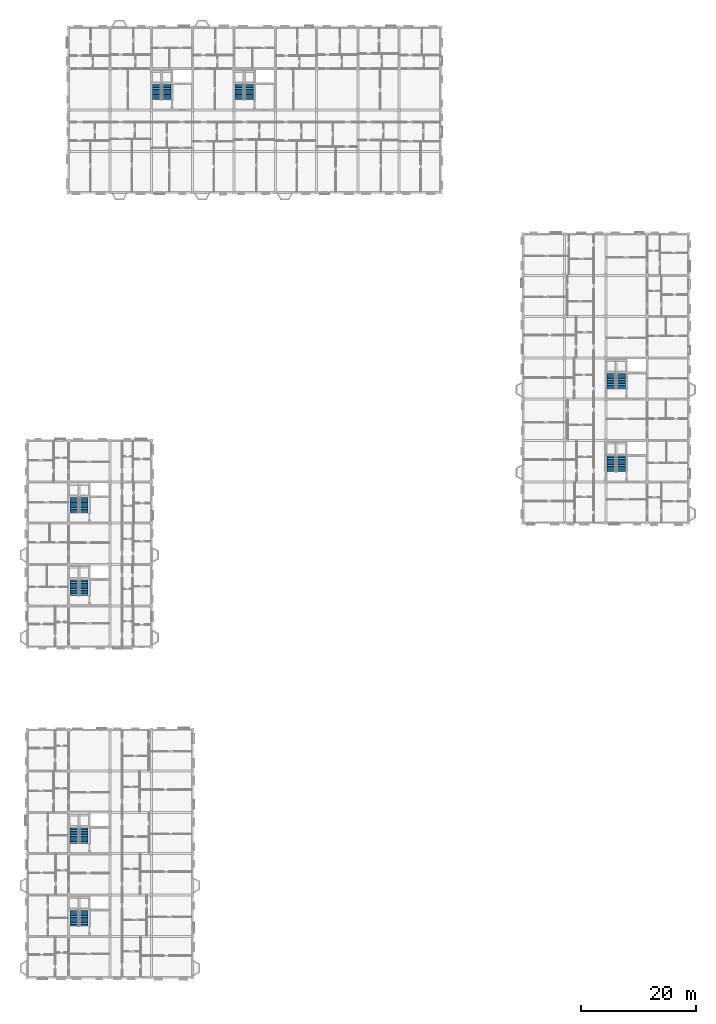
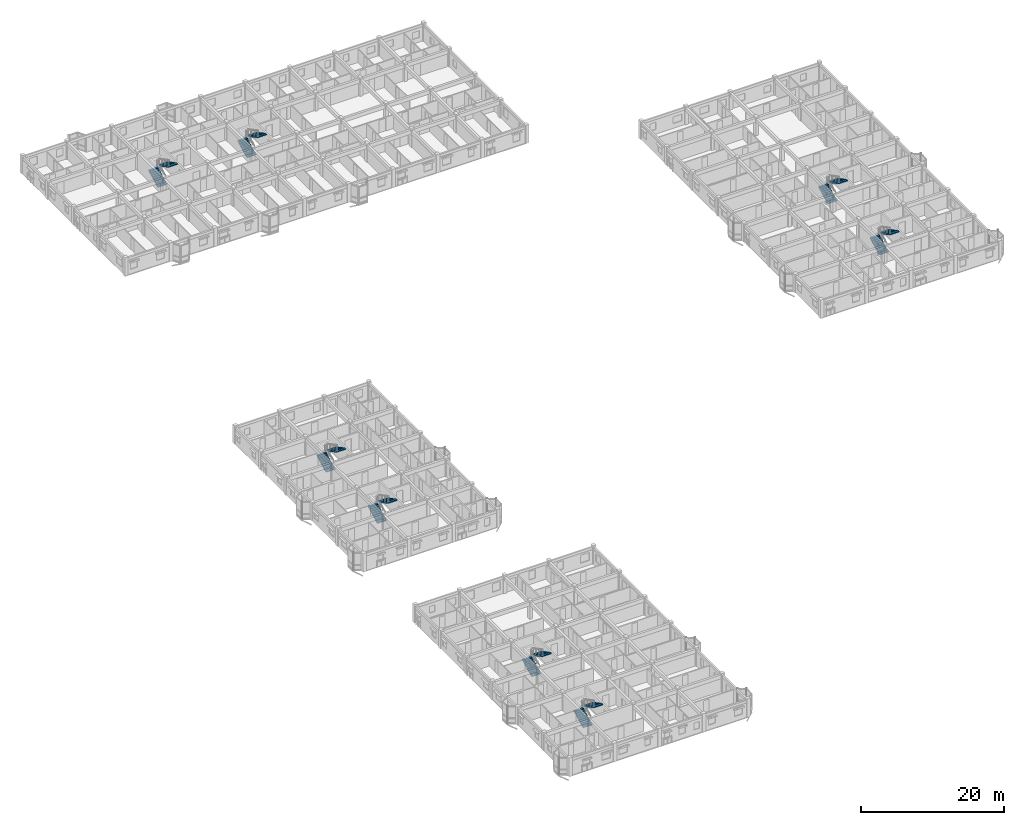
# One storey, part 73 of 79: 16 stair flights, 8 elements without a shape of their own.
"""IFC4 building model written with IfcOpenShell, lengths in metres."""

import ifcopenshell
import ifcopenshell.guid

model = None  # the IFC model being written
_history = None  # IfcOwnerHistory: only IFC2X3 demands one
_inside = {}  # id of a spatial element -> (the spatial element, [elements in it])
_under = {}  # id of a project, library or spatial element -> (it, [spatial elements below it])
_declared = {}  # id of a project -> (the project, [libraries it declares])
_typed = {}  # id of a type object -> (the type object, [elements of that type])
_made_of = {}  # id of a material, layer set ... -> (it, [elements and type objects made of it])


def new_model(schema):
    """Start an empty IFC model of exactly this schema.

    Asked for "IFC4X3", IfcOpenShell would pick the latest addendum, in which some entities
    have other attributes; the version numbers below select the first issue.
    IFC2X3 requires an IfcOwnerHistory on every rooted entity: one is made here for all.
    """
    global model, _history
    if schema == "IFC4X3":
        model = ifcopenshell.file(schema_version=(4, 3, 0, 0))
    else:
        model = ifcopenshell.file(schema=schema)
    _inside.clear()
    _under.clear()
    _declared.clear()
    _typed.clear()
    _made_of.clear()
    _history = None
    if model.schema == "IFC2X3":
        org = make("IfcOrganization", Name="unknown")
        user = make(
            "IfcPersonAndOrganization",
            ThePerson=make("IfcPerson", FamilyName="unknown"),
            TheOrganization=org,
        )
        app = make(
            "IfcApplication",
            ApplicationDeveloper=org,
            Version="unknown",
            ApplicationFullName="unknown",
            ApplicationIdentifier="unknown",
        )
        _history = make(
            "IfcOwnerHistory",
            OwningUser=user,
            OwningApplication=app,
            ChangeAction="ADDED",
            CreationDate=0,
        )
    return model


def make(cls, **values):
    """One entity of the class cls with the attributes given. An attribute that is None is left unset."""
    return model.create_entity(
        cls, **{name: value for name, value in values.items() if value is not None}
    )


def rooted(cls, **values):
    """An entity with a GlobalId (a new one), such as an element, a storey or a relation."""
    return make(cls, GlobalId=ifcopenshell.guid.new(), OwnerHistory=_history, **values)


def si_unit(unit_type, name, prefix=None):
    """IfcSIUnit, for example si_unit("LENGTHUNIT", "METRE", prefix="MILLI")."""
    return make("IfcSIUnit", UnitType=unit_type, Prefix=prefix, Name=name)


def assignment(units):
    """IfcUnitAssignment: the units of a project."""
    return None if units is None else make("IfcUnitAssignment", Units=units)


def point(xyz):
    """IfcCartesianPoint."""
    return None if xyz is None else make("IfcCartesianPoint", Coordinates=xyz)


def direction(xyz):
    """IfcDirection."""
    return None if xyz is None else make("IfcDirection", DirectionRatios=xyz)


def frame(location, z_axis=None, x_axis=None):
    """IfcAxis2Placement3D, a coordinate frame: its origin and axes. An axis left out is left unset."""
    return make(
        "IfcAxis2Placement3D",
        Location=point(location),
        Axis=direction(z_axis),
        RefDirection=direction(x_axis),
    )


def origin():
    """The frame at (0, 0, 0) with its axes left unset."""
    return frame((0.0, 0.0, 0.0))


def place(relative_to, where):
    """IfcLocalPlacement: puts the frame where relative to a parent placement (None: the world)."""
    return make(
        "IfcLocalPlacement", PlacementRelTo=relative_to, RelativePlacement=where
    )


def context(
    kind, dimensions, precision=None, world=None, true_north=None, identifier=None
):
    """IfcGeometricRepresentationContext, for example the 3D "Model" context."""
    return make(
        "IfcGeometricRepresentationContext",
        ContextIdentifier=identifier,
        ContextType=kind,
        CoordinateSpaceDimension=dimensions,
        Precision=precision,
        WorldCoordinateSystem=world,
        TrueNorth=true_north,
    )


def subcontext(parent, identifier, kind, view, scale=None):
    """IfcGeometricRepresentationSubContext, for example "Body" below "Model"."""
    return make(
        "IfcGeometricRepresentationSubContext",
        ContextIdentifier=identifier,
        ContextType=kind,
        ParentContext=parent,
        TargetScale=scale,
        TargetView=view,
    )


def project(units=None, contexts=None):
    """IfcProject with its units and contexts."""
    return rooted(
        "IfcProject",
        Name="project",
        RepresentationContexts=contexts,
        UnitsInContext=assignment(units),
    )


def spatial(cls, under=None, at=None, **own):
    """A site, building, storey or space (cls), placed at a placement, below another one or the project."""
    s = rooted(cls, ObjectPlacement=at, **own)
    if under is not None:
        _under.setdefault(under.id(), (under, []))[1].append(s)
    return s


def polyline(points):
    """IfcPolyline through the points."""
    return make("IfcPolyline", Points=[point(p) for p in points])


def outline(outer, holes=None, kind="AREA"):
    """IfcArbitraryClosedProfileDef: a profile drawn as a closed curve; with holes, ...WithVoids."""
    if holes is None:
        return make("IfcArbitraryClosedProfileDef", ProfileType=kind, OuterCurve=outer)
    return make(
        "IfcArbitraryProfileDefWithVoids",
        ProfileType=kind,
        OuterCurve=outer,
        InnerCurves=holes,
    )


def extrude(swept, where, along, depth):
    """IfcExtrudedAreaSolid: the profile swept, set in the frame where, extruded along a direction by depth."""
    return make(
        "IfcExtrudedAreaSolid",
        SweptArea=swept,
        Position=where,
        ExtrudedDirection=direction(along),
        Depth=depth,
    )


def shape(context_of_items, identifier, shape_type, items):
    """IfcShapeRepresentation: the items that make up one representation, for example the "Body"."""
    return make(
        "IfcShapeRepresentation",
        ContextOfItems=context_of_items,
        RepresentationIdentifier=identifier,
        RepresentationType=shape_type,
        Items=items,
    )


def material(Name=None, Category=None):
    """IfcMaterial."""
    return make("IfcMaterial", Name=Name, Category=Category)


def made_of(thing, what):
    """Note that an element or type object is made of a material, layer set ...; save() writes the relation."""
    if what is not None:
        _made_of.setdefault(what.id(), (what, []))[1].append(thing)
    return thing


def type_object(cls, material=None, **own):
    """A type object (cls), such as IfcWallType, which elements share."""
    return made_of(rooted(cls, **own), material)


def element(
    cls,
    number,
    at=None,
    inside=None,
    cuts=None,
    type_object=None,
    material=None,
    context=None,
    identifier="Body",
    shape_type=None,
    held_by="IfcProductDefinitionShape",
    body=None,
    shapes=None,
    **own,
):
    """One element of the class cls, such as IfcWall. Its Tag is "e" and its number.

    at: its placement. inside: the storey or other place that contains it. cuts: it is an
    opening in that element (IfcRelVoidsElement). A single representation is given by context,
    identifier, shape_type and body (its items); several are given by shapes. held_by: the class
    of the entity that holds the representations. save() writes the other relations.
    """
    e = rooted(cls, Tag="e%d" % number, ObjectPlacement=at, **own)
    if body is not None:
        shapes = [shape(context, identifier, shape_type, body)]
    if shapes is not None:
        e.Representation = make(held_by, Representations=shapes)
    if inside is not None:
        _inside.setdefault(inside.id(), (inside, []))[1].append(e)
    if cuts is not None:
        rooted(
            "IfcRelVoidsElement", RelatingBuildingElement=cuts, RelatedOpeningElement=e
        )
    if type_object is not None:
        _typed.setdefault(type_object.id(), (type_object, []))[1].append(e)
    return made_of(e, material)


def aggregate(whole, parts):
    """IfcRelAggregates: a whole, such as a stair, and the parts it consists of."""
    return rooted("IfcRelAggregates", RelatingObject=whole, RelatedObjects=parts)


def save(model, path):
    """Write the relations noted so far, then the file.

    IfcRelAggregates (storeys below a building ...), IfcRelContainedInSpatialStructure (elements
    in a storey), IfcRelDefinesByType, IfcRelAssociatesMaterial and IfcRelDeclares: one each for
    every whole, place, type object, material and project.
    """
    for whole, parts in _under.values():
        aggregate(whole, parts)
    for where, things in _inside.values():
        rooted(
            "IfcRelContainedInSpatialStructure",
            RelatedElements=things,
            RelatingStructure=where,
        )
    for kind, things in _typed.values():
        rooted("IfcRelDefinesByType", RelatedObjects=things, RelatingType=kind)
    for what, things in _made_of.values():
        rooted("IfcRelAssociatesMaterial", RelatedObjects=things, RelatingMaterial=what)
    for by, libraries in _declared.values():
        rooted("IfcRelDeclares", RelatingContext=by, RelatedDefinitions=libraries)
    model.write(path)


model = new_model("IFC4")

# Units and contexts
model_context = context("Model", 3, precision=1e-05, world=origin(), true_north=direction((0.0, 1.0)))
body_context = subcontext(model_context, "Body", "Model", "MODEL_VIEW")
ifc_project = project(units=[si_unit("LENGTHUNIT", "METRE"), si_unit("AREAUNIT", "SQUARE_METRE"), si_unit("VOLUMEUNIT", "CUBIC_METRE"), si_unit("PLANEANGLEUNIT", "RADIAN"), si_unit("MASSUNIT", "GRAM", prefix="KILO"), si_unit("THERMODYNAMICTEMPERATUREUNIT", "KELVIN"), si_unit("POWERUNIT", "WATT")], contexts=[model_context])

# Site, building, storey
site_placement = place(None, origin())
site = spatial("IfcSite", under=ifc_project, at=site_placement, CompositionType="ELEMENT")
building_placement = place(site_placement, origin())
building = spatial("IfcBuilding", under=site, at=building_placement, Name="Tavuni Mirador Residences", CompositionType="ELEMENT")
storey_placement = place(building_placement, frame((0.0, 0.0, 13.949951171875)))
storey = spatial("IfcBuildingStorey", under=building, at=storey_placement, Name="L04", CompositionType="ELEMENT", Elevation=13.949951171875)

# Stair, stair flights
ifc_material = material(Name="Precast concrete C40/50", Category="concrete")
stair_type = type_object("IfcStairType", Name="STT-TYP", PredefinedType="HALF_TURN_STAIR", material=ifc_material)
stair_1_placement = place(storey_placement, origin())
stair_1 = element("IfcStair", 1, at=stair_1_placement, inside=storey, type_object=stair_type, Name="Protected exit stair ST1 (L04)", PredefinedType="HALF_TURN_STAIR")
stair_flight_type = type_object("IfcStairFlightType", Name="SFT-1500", PredefinedType="STRAIGHT", material=ifc_material)
stair_flight_1_placement = place(storey_placement, frame((11.75, 16.199951171875, 0.0), z_axis=(0.0, 0.0, 1.0), x_axis=(0.0, 1.0, 0.0)))
stair_flight_1 = element("IfcStairFlight", 2, at=stair_flight_1_placement, type_object=stair_flight_type, Name="ST1 flight 1", NumberOfRisers=10, NumberOfTreads=9, PredefinedType="STRAIGHT", RiserHeight=0.1575, TreadLength=0.3, context=body_context, shape_type="SweptSolid", body=[
    extrude(outline(polyline([(0.0, 0.0), (0.0, 0.157470703125), (0.300048828125, 0.157470703125), (0.300048828125, 0.31494140625), (0.60009765625, 0.31494140625), (0.60009765625, 0.472412109375), (0.89990234375, 0.472412109375), (0.89990234375, 0.6298828125), (1.199951171875, 0.6298828125), (1.199951171875, 0.78759765625), (1.5, 0.78759765625), (1.5, 0.945068359375), (1.800048828125, 0.945068359375), (1.800048828125, 1.1025390625), (2.10009765625, 1.1025390625), (2.10009765625, 1.260009765625), (2.39990234375, 1.260009765625), (2.39990234375, 1.41748046875), (2.699951171875, 1.41748046875), (2.699951171875, 1.574951171875), (2.699951171875, 1.23681640625), (0.343994140625, 0.0), (0.0, 0.0)])), frame((0.0, 0.75, 0.0), z_axis=(0.0, -1.0, 0.0), x_axis=(1.0, 0.0, 0.0)), (0.0, 0.0, 1.0), 1.5),
])
stair_flight_2_placement = place(storey_placement, frame((13.449951171875, 18.89990234375, 1.574951171875), z_axis=(0.0, 0.0, 1.0), x_axis=(0.0, -1.0, 0.0)))
stair_flight_2 = element("IfcStairFlight", 3, at=stair_flight_2_placement, type_object=stair_flight_type, Name="ST1 flight 2", NumberOfRisers=10, NumberOfTreads=9, PredefinedType="STRAIGHT", RiserHeight=0.1575, TreadLength=0.3, context=body_context, shape_type="SweptSolid", body=[
    extrude(outline(polyline([(0.0, 0.0), (0.0, 0.157470703125), (0.300048828125, 0.157470703125), (0.300048828125, 0.31494140625), (0.60009765625, 0.31494140625), (0.60009765625, 0.472412109375), (0.89990234375, 0.472412109375), (0.89990234375, 0.6298828125), (1.199951171875, 0.6298828125), (1.199951171875, 0.78759765625), (1.5, 0.78759765625), (1.5, 0.945068359375), (1.800048828125, 0.945068359375), (1.800048828125, 1.1025390625), (2.10009765625, 1.1025390625), (2.10009765625, 1.260009765625), (2.39990234375, 1.260009765625), (2.39990234375, 1.41748046875), (2.699951171875, 1.41748046875), (2.699951171875, 1.574951171875), (2.699951171875, 1.23681640625), (0.343994140625, 0.0), (0.0, 0.0)])), frame((0.0, 0.75, 0.0), z_axis=(0.0, -1.0, 0.0), x_axis=(1.0, 0.0, 0.0)), (0.0, 0.0, 1.0), 1.5),
])
aggregate(stair_1, [stair_flight_1, stair_flight_2])

stair_2_placement = place(storey_placement, origin())
stair_2 = element("IfcStair", 4, at=stair_2_placement, inside=storey, type_object=stair_type, Name="Protected exit stair ST2 (L04)", PredefinedType="HALF_TURN_STAIR")
stair_flight_3_placement = place(storey_placement, frame((11.75, 30.60009765625, 0.0), z_axis=(0.0, 0.0, 1.0), x_axis=(0.0, 1.0, 0.0)))
stair_flight_3 = element("IfcStairFlight", 5, at=stair_flight_3_placement, type_object=stair_flight_type, Name="ST2 flight 1", NumberOfRisers=10, NumberOfTreads=9, PredefinedType="STRAIGHT", RiserHeight=0.1575, TreadLength=0.3, context=body_context, shape_type="SweptSolid", body=[
    extrude(outline(polyline([(0.0, 0.0), (0.0, 0.157470703125), (0.300048828125, 0.157470703125), (0.300048828125, 0.31494140625), (0.60009765625, 0.31494140625), (0.60009765625, 0.472412109375), (0.89990234375, 0.472412109375), (0.89990234375, 0.6298828125), (1.199951171875, 0.6298828125), (1.199951171875, 0.78759765625), (1.5, 0.78759765625), (1.5, 0.945068359375), (1.800048828125, 0.945068359375), (1.800048828125, 1.1025390625), (2.10009765625, 1.1025390625), (2.10009765625, 1.260009765625), (2.39990234375, 1.260009765625), (2.39990234375, 1.41748046875), (2.699951171875, 1.41748046875), (2.699951171875, 1.574951171875), (2.699951171875, 1.23681640625), (0.343994140625, 0.0), (0.0, 0.0)])), frame((0.0, 0.75, 0.0), z_axis=(0.0, -1.0, 0.0), x_axis=(1.0, 0.0, 0.0)), (0.0, 0.0, 1.0), 1.5),
])
stair_flight_4_placement = place(storey_placement, frame((13.449951171875, 33.300048828125, 1.574951171875), z_axis=(0.0, 0.0, 1.0), x_axis=(0.0, -1.0, 0.0)))
stair_flight_4 = element("IfcStairFlight", 6, at=stair_flight_4_placement, type_object=stair_flight_type, Name="ST2 flight 2", NumberOfRisers=10, NumberOfTreads=9, PredefinedType="STRAIGHT", RiserHeight=0.1575, TreadLength=0.3, context=body_context, shape_type="SweptSolid", body=[
    extrude(outline(polyline([(0.0, 0.0), (0.0, 0.157470703125), (0.300048828125, 0.157470703125), (0.300048828125, 0.31494140625), (0.60009765625, 0.31494140625), (0.60009765625, 0.472412109375), (0.89990234375, 0.472412109375), (0.89990234375, 0.6298828125), (1.199951171875, 0.6298828125), (1.199951171875, 0.78759765625), (1.5, 0.78759765625), (1.5, 0.945068359375), (1.800048828125, 0.945068359375), (1.800048828125, 1.1025390625), (2.10009765625, 1.1025390625), (2.10009765625, 1.260009765625), (2.39990234375, 1.260009765625), (2.39990234375, 1.41748046875), (2.699951171875, 1.41748046875), (2.699951171875, 1.574951171875), (2.699951171875, 1.23681640625), (0.343994140625, 0.0), (0.0, 0.0)])), frame((0.0, 0.75, 0.0), z_axis=(0.0, -1.0, 0.0), x_axis=(1.0, 0.0, 0.0)), (0.0, 0.0, 1.0), 1.5),
])
aggregate(stair_2, [stair_flight_3, stair_flight_4])

stair_3_placement = place(storey_placement, origin())
stair_3 = element("IfcStair", 7, at=stair_3_placement, inside=storey, type_object=stair_type, Name="Protected exit stair ST3 (L04)", PredefinedType="HALF_TURN_STAIR")
stair_flight_5_placement = place(storey_placement, frame((11.75, 73.800048828125, 0.0), z_axis=(0.0, 0.0, 1.0), x_axis=(0.0, 1.0, 0.0)))
stair_flight_5 = element("IfcStairFlight", 8, at=stair_flight_5_placement, type_object=stair_flight_type, Name="ST3 flight 1", NumberOfRisers=10, NumberOfTreads=9, PredefinedType="STRAIGHT", RiserHeight=0.1575, TreadLength=0.3, context=body_context, shape_type="SweptSolid", body=[
    extrude(outline(polyline([(0.0, 0.0), (0.0, 0.157470703125), (0.300048828125, 0.157470703125), (0.300048828125, 0.31494140625), (0.60009765625, 0.31494140625), (0.60009765625, 0.472412109375), (0.89990234375, 0.472412109375), (0.89990234375, 0.6298828125), (1.199951171875, 0.6298828125), (1.199951171875, 0.78759765625), (1.5, 0.78759765625), (1.5, 0.945068359375), (1.800048828125, 0.945068359375), (1.800048828125, 1.1025390625), (2.10009765625, 1.1025390625), (2.10009765625, 1.260009765625), (2.39990234375, 1.260009765625), (2.39990234375, 1.41748046875), (2.699951171875, 1.41748046875), (2.699951171875, 1.574951171875), (2.699951171875, 1.23681640625), (0.343994140625, 0.0), (0.0, 0.0)])), frame((0.0, 0.75, 0.0), z_axis=(0.0, -1.0, 0.0), x_axis=(1.0, 0.0, 0.0)), (0.0, 0.0, 1.0), 1.5),
])
stair_flight_6_placement = place(storey_placement, frame((13.449951171875, 76.5, 1.574951171875), z_axis=(0.0, 0.0, 1.0), x_axis=(0.0, -1.0, 0.0)))
stair_flight_6 = element("IfcStairFlight", 9, at=stair_flight_6_placement, type_object=stair_flight_type, Name="ST3 flight 2", NumberOfRisers=10, NumberOfTreads=9, PredefinedType="STRAIGHT", RiserHeight=0.1575, TreadLength=0.3, context=body_context, shape_type="SweptSolid", body=[
    extrude(outline(polyline([(0.0, 0.0), (0.0, 0.157470703125), (0.300048828125, 0.157470703125), (0.300048828125, 0.31494140625), (0.60009765625, 0.31494140625), (0.60009765625, 0.472412109375), (0.89990234375, 0.472412109375), (0.89990234375, 0.6298828125), (1.199951171875, 0.6298828125), (1.199951171875, 0.78759765625), (1.5, 0.78759765625), (1.5, 0.945068359375), (1.800048828125, 0.945068359375), (1.800048828125, 1.1025390625), (2.10009765625, 1.1025390625), (2.10009765625, 1.260009765625), (2.39990234375, 1.260009765625), (2.39990234375, 1.41748046875), (2.699951171875, 1.41748046875), (2.699951171875, 1.574951171875), (2.699951171875, 1.23681640625), (0.343994140625, 0.0), (0.0, 0.0)])), frame((0.0, 0.75, 0.0), z_axis=(0.0, -1.0, 0.0), x_axis=(1.0, 0.0, 0.0)), (0.0, 0.0, 1.0), 1.5),
])
aggregate(stair_3, [stair_flight_5, stair_flight_6])

stair_4_placement = place(storey_placement, origin())
stair_4 = element("IfcStair", 10, at=stair_4_placement, inside=storey, type_object=stair_type, Name="Protected exit stair ST4 (L04)", PredefinedType="HALF_TURN_STAIR")
stair_flight_7_placement = place(storey_placement, frame((11.75, 88.199951171875, 0.0), z_axis=(0.0, 0.0, 1.0), x_axis=(0.0, 1.0, 0.0)))
stair_flight_7 = element("IfcStairFlight", 11, at=stair_flight_7_placement, type_object=stair_flight_type, Name="ST4 flight 1", NumberOfRisers=10, NumberOfTreads=9, PredefinedType="STRAIGHT", RiserHeight=0.1575, TreadLength=0.3, context=body_context, shape_type="SweptSolid", body=[
    extrude(outline(polyline([(0.0, 0.0), (0.0, 0.157470703125), (0.300048828125, 0.157470703125), (0.300048828125, 0.31494140625), (0.60009765625, 0.31494140625), (0.60009765625, 0.472412109375), (0.89990234375, 0.472412109375), (0.89990234375, 0.6298828125), (1.199951171875, 0.6298828125), (1.199951171875, 0.78759765625), (1.5, 0.78759765625), (1.5, 0.945068359375), (1.800048828125, 0.945068359375), (1.800048828125, 1.1025390625), (2.10009765625, 1.1025390625), (2.10009765625, 1.260009765625), (2.39990234375, 1.260009765625), (2.39990234375, 1.41748046875), (2.699951171875, 1.41748046875), (2.699951171875, 1.574951171875), (2.699951171875, 1.23681640625), (0.343994140625, 0.0), (0.0, 0.0)])), frame((0.0, 0.75, 0.0), z_axis=(0.0, -1.0, 0.0), x_axis=(1.0, 0.0, 0.0)), (0.0, 0.0, 1.0), 1.5),
])
stair_flight_8_placement = place(storey_placement, frame((13.449951171875, 90.89990234375, 1.574951171875), z_axis=(0.0, 0.0, 1.0), x_axis=(0.0, -1.0, 0.0)))
stair_flight_8 = element("IfcStairFlight", 12, at=stair_flight_8_placement, type_object=stair_flight_type, Name="ST4 flight 2", NumberOfRisers=10, NumberOfTreads=9, PredefinedType="STRAIGHT", RiserHeight=0.1575, TreadLength=0.3, context=body_context, shape_type="SweptSolid", body=[
    extrude(outline(polyline([(0.0, 0.0), (0.0, 0.157470703125), (0.300048828125, 0.157470703125), (0.300048828125, 0.31494140625), (0.60009765625, 0.31494140625), (0.60009765625, 0.472412109375), (0.89990234375, 0.472412109375), (0.89990234375, 0.6298828125), (1.199951171875, 0.6298828125), (1.199951171875, 0.78759765625), (1.5, 0.78759765625), (1.5, 0.945068359375), (1.800048828125, 0.945068359375), (1.800048828125, 1.1025390625), (2.10009765625, 1.1025390625), (2.10009765625, 1.260009765625), (2.39990234375, 1.260009765625), (2.39990234375, 1.41748046875), (2.699951171875, 1.41748046875), (2.699951171875, 1.574951171875), (2.699951171875, 1.23681640625), (0.343994140625, 0.0), (0.0, 0.0)])), frame((0.0, 0.75, 0.0), z_axis=(0.0, -1.0, 0.0), x_axis=(1.0, 0.0, 0.0)), (0.0, 0.0, 1.0), 1.5),
])
aggregate(stair_4, [stair_flight_7, stair_flight_8])

stair_5_placement = place(storey_placement, origin())
stair_5 = element("IfcStair", 13, at=stair_5_placement, inside=storey, type_object=stair_type, Name="Protected exit stair ST5 (L04)", PredefinedType="HALF_TURN_STAIR")
stair_flight_9_placement = place(storey_placement, frame((26.14990234375, 160.199951171875, 0.0), z_axis=(0.0, 0.0, 1.0), x_axis=(0.0, 1.0, 0.0)))
stair_flight_9 = element("IfcStairFlight", 14, at=stair_flight_9_placement, type_object=stair_flight_type, Name="ST5 flight 1", NumberOfRisers=10, NumberOfTreads=9, PredefinedType="STRAIGHT", RiserHeight=0.1575, TreadLength=0.3, context=body_context, shape_type="SweptSolid", body=[
    extrude(outline(polyline([(0.0, 0.0), (0.0, 0.157470703125), (0.300048828125, 0.157470703125), (0.300048828125, 0.31494140625), (0.60009765625, 0.31494140625), (0.60009765625, 0.472412109375), (0.89990234375, 0.472412109375), (0.89990234375, 0.6298828125), (1.199951171875, 0.6298828125), (1.199951171875, 0.78759765625), (1.5, 0.78759765625), (1.5, 0.945068359375), (1.800048828125, 0.945068359375), (1.800048828125, 1.1025390625), (2.10009765625, 1.1025390625), (2.10009765625, 1.260009765625), (2.39990234375, 1.260009765625), (2.39990234375, 1.41748046875), (2.699951171875, 1.41748046875), (2.699951171875, 1.574951171875), (2.699951171875, 1.23681640625), (0.343994140625, 0.0), (0.0, 0.0)])), frame((0.0, 0.75, 0.0), z_axis=(0.0, -1.0, 0.0), x_axis=(1.0, 0.0, 0.0)), (0.0, 0.0, 1.0), 1.5),
])
stair_flight_10_placement = place(storey_placement, frame((27.85009765625, 162.89990234375, 1.574951171875), z_axis=(0.0, 0.0, 1.0), x_axis=(0.0, -1.0, 0.0)))
stair_flight_10 = element("IfcStairFlight", 15, at=stair_flight_10_placement, type_object=stair_flight_type, Name="ST5 flight 2", NumberOfRisers=10, NumberOfTreads=9, PredefinedType="STRAIGHT", RiserHeight=0.1575, TreadLength=0.3, context=body_context, shape_type="SweptSolid", body=[
    extrude(outline(polyline([(0.0, 0.0), (0.0, 0.157470703125), (0.300048828125, 0.157470703125), (0.300048828125, 0.31494140625), (0.60009765625, 0.31494140625), (0.60009765625, 0.472412109375), (0.89990234375, 0.472412109375), (0.89990234375, 0.6298828125), (1.199951171875, 0.6298828125), (1.199951171875, 0.78759765625), (1.5, 0.78759765625), (1.5, 0.945068359375), (1.800048828125, 0.945068359375), (1.800048828125, 1.1025390625), (2.10009765625, 1.1025390625), (2.10009765625, 1.260009765625), (2.39990234375, 1.260009765625), (2.39990234375, 1.41748046875), (2.699951171875, 1.41748046875), (2.699951171875, 1.574951171875), (2.699951171875, 1.23681640625), (0.343994140625, 0.0), (0.0, 0.0)])), frame((0.0, 0.75, 0.0), z_axis=(0.0, -1.0, 0.0), x_axis=(1.0, 0.0, 0.0)), (0.0, 0.0, 1.0), 1.5),
])
aggregate(stair_5, [stair_flight_9, stair_flight_10])

stair_6_placement = place(storey_placement, origin())
stair_6 = element("IfcStair", 16, at=stair_6_placement, inside=storey, type_object=stair_type, Name="Protected exit stair ST6 (L04)", PredefinedType="HALF_TURN_STAIR")
stair_flight_11_placement = place(storey_placement, frame((40.550048828125, 160.199951171875, 0.0), z_axis=(0.0, 0.0, 1.0), x_axis=(0.0, 1.0, 0.0)))
stair_flight_11 = element("IfcStairFlight", 17, at=stair_flight_11_placement, type_object=stair_flight_type, Name="ST6 flight 1", NumberOfRisers=10, NumberOfTreads=9, PredefinedType="STRAIGHT", RiserHeight=0.1575, TreadLength=0.3, context=body_context, shape_type="SweptSolid", body=[
    extrude(outline(polyline([(0.0, 0.0), (0.0, 0.157470703125), (0.300048828125, 0.157470703125), (0.300048828125, 0.31494140625), (0.60009765625, 0.31494140625), (0.60009765625, 0.472412109375), (0.89990234375, 0.472412109375), (0.89990234375, 0.6298828125), (1.199951171875, 0.6298828125), (1.199951171875, 0.78759765625), (1.5, 0.78759765625), (1.5, 0.945068359375), (1.800048828125, 0.945068359375), (1.800048828125, 1.1025390625), (2.10009765625, 1.1025390625), (2.10009765625, 1.260009765625), (2.39990234375, 1.260009765625), (2.39990234375, 1.41748046875), (2.699951171875, 1.41748046875), (2.699951171875, 1.574951171875), (2.699951171875, 1.23681640625), (0.343994140625, 0.0), (0.0, 0.0)])), frame((0.0, 0.75, 0.0), z_axis=(0.0, -1.0, 0.0), x_axis=(1.0, 0.0, 0.0)), (0.0, 0.0, 1.0), 1.5),
])
stair_flight_12_placement = place(storey_placement, frame((42.25, 162.89990234375, 1.574951171875), z_axis=(0.0, 0.0, 1.0), x_axis=(0.0, -1.0, 0.0)))
stair_flight_12 = element("IfcStairFlight", 18, at=stair_flight_12_placement, type_object=stair_flight_type, Name="ST6 flight 2", NumberOfRisers=10, NumberOfTreads=9, PredefinedType="STRAIGHT", RiserHeight=0.1575, TreadLength=0.3, context=body_context, shape_type="SweptSolid", body=[
    extrude(outline(polyline([(0.0, 0.0), (0.0, 0.157470703125), (0.300048828125, 0.157470703125), (0.300048828125, 0.31494140625), (0.60009765625, 0.31494140625), (0.60009765625, 0.472412109375), (0.89990234375, 0.472412109375), (0.89990234375, 0.6298828125), (1.199951171875, 0.6298828125), (1.199951171875, 0.78759765625), (1.5, 0.78759765625), (1.5, 0.945068359375), (1.800048828125, 0.945068359375), (1.800048828125, 1.1025390625), (2.10009765625, 1.1025390625), (2.10009765625, 1.260009765625), (2.39990234375, 1.260009765625), (2.39990234375, 1.41748046875), (2.699951171875, 1.41748046875), (2.699951171875, 1.574951171875), (2.699951171875, 1.23681640625), (0.343994140625, 0.0), (0.0, 0.0)])), frame((0.0, 0.75, 0.0), z_axis=(0.0, -1.0, 0.0), x_axis=(1.0, 0.0, 0.0)), (0.0, 0.0, 1.0), 1.5),
])
aggregate(stair_6, [stair_flight_11, stair_flight_12])

stair_7_placement = place(storey_placement, origin())
stair_7 = element("IfcStair", 19, at=stair_7_placement, inside=storey, type_object=stair_type, Name="Protected exit stair ST7 (L04)", PredefinedType="HALF_TURN_STAIR")
stair_flight_13_placement = place(storey_placement, frame((105.35009765625, 95.39990234375, 0.0), z_axis=(0.0, 0.0, 1.0), x_axis=(0.0, 1.0, 0.0)))
stair_flight_13 = element("IfcStairFlight", 20, at=stair_flight_13_placement, type_object=stair_flight_type, Name="ST7 flight 1", NumberOfRisers=10, NumberOfTreads=9, PredefinedType="STRAIGHT", RiserHeight=0.1575, TreadLength=0.3, context=body_context, shape_type="SweptSolid", body=[
    extrude(outline(polyline([(0.0, 0.0), (0.0, 0.157470703125), (0.300048828125, 0.157470703125), (0.300048828125, 0.31494140625), (0.60009765625, 0.31494140625), (0.60009765625, 0.472412109375), (0.89990234375, 0.472412109375), (0.89990234375, 0.6298828125), (1.199951171875, 0.6298828125), (1.199951171875, 0.78759765625), (1.5, 0.78759765625), (1.5, 0.945068359375), (1.800048828125, 0.945068359375), (1.800048828125, 1.1025390625), (2.10009765625, 1.1025390625), (2.10009765625, 1.260009765625), (2.39990234375, 1.260009765625), (2.39990234375, 1.41748046875), (2.699951171875, 1.41748046875), (2.699951171875, 1.574951171875), (2.699951171875, 1.23681640625), (0.343994140625, 0.0), (0.0, 0.0)])), frame((0.0, 0.75, 0.0), z_axis=(0.0, -1.0, 0.0), x_axis=(1.0, 0.0, 0.0)), (0.0, 0.0, 1.0), 1.5),
])
stair_flight_14_placement = place(storey_placement, frame((107.050048828125, 98.10009765625, 1.574951171875), z_axis=(0.0, 0.0, 1.0), x_axis=(0.0, -1.0, 0.0)))
stair_flight_14 = element("IfcStairFlight", 21, at=stair_flight_14_placement, type_object=stair_flight_type, Name="ST7 flight 2", NumberOfRisers=10, NumberOfTreads=9, PredefinedType="STRAIGHT", RiserHeight=0.1575, TreadLength=0.3, context=body_context, shape_type="SweptSolid", body=[
    extrude(outline(polyline([(0.0, 0.0), (0.0, 0.157470703125), (0.300048828125, 0.157470703125), (0.300048828125, 0.31494140625), (0.60009765625, 0.31494140625), (0.60009765625, 0.472412109375), (0.89990234375, 0.472412109375), (0.89990234375, 0.6298828125), (1.199951171875, 0.6298828125), (1.199951171875, 0.78759765625), (1.5, 0.78759765625), (1.5, 0.945068359375), (1.800048828125, 0.945068359375), (1.800048828125, 1.1025390625), (2.10009765625, 1.1025390625), (2.10009765625, 1.260009765625), (2.39990234375, 1.260009765625), (2.39990234375, 1.41748046875), (2.699951171875, 1.41748046875), (2.699951171875, 1.574951171875), (2.699951171875, 1.23681640625), (0.343994140625, 0.0), (0.0, 0.0)])), frame((0.0, 0.75, 0.0), z_axis=(0.0, -1.0, 0.0), x_axis=(1.0, 0.0, 0.0)), (0.0, 0.0, 1.0), 1.5),
])
aggregate(stair_7, [stair_flight_13, stair_flight_14])

stair_8_placement = place(storey_placement, origin())
stair_8 = element("IfcStair", 22, at=stair_8_placement, inside=storey, type_object=stair_type, Name="Protected exit stair ST8 (L04)", PredefinedType="HALF_TURN_STAIR")
stair_flight_15_placement = place(storey_placement, frame((105.35009765625, 109.800048828125, 0.0), z_axis=(0.0, 0.0, 1.0), x_axis=(0.0, 1.0, 0.0)))
stair_flight_15 = element("IfcStairFlight", 23, at=stair_flight_15_placement, type_object=stair_flight_type, Name="ST8 flight 1", NumberOfRisers=10, NumberOfTreads=9, PredefinedType="STRAIGHT", RiserHeight=0.1575, TreadLength=0.3, context=body_context, shape_type="SweptSolid", body=[
    extrude(outline(polyline([(0.0, 0.0), (0.0, 0.157470703125), (0.300048828125, 0.157470703125), (0.300048828125, 0.31494140625), (0.60009765625, 0.31494140625), (0.60009765625, 0.472412109375), (0.89990234375, 0.472412109375), (0.89990234375, 0.6298828125), (1.199951171875, 0.6298828125), (1.199951171875, 0.78759765625), (1.5, 0.78759765625), (1.5, 0.945068359375), (1.800048828125, 0.945068359375), (1.800048828125, 1.1025390625), (2.10009765625, 1.1025390625), (2.10009765625, 1.260009765625), (2.39990234375, 1.260009765625), (2.39990234375, 1.41748046875), (2.699951171875, 1.41748046875), (2.699951171875, 1.574951171875), (2.699951171875, 1.23681640625), (0.343994140625, 0.0), (0.0, 0.0)])), frame((0.0, 0.75, 0.0), z_axis=(0.0, -1.0, 0.0), x_axis=(1.0, 0.0, 0.0)), (0.0, 0.0, 1.0), 1.5),
])
stair_flight_16_placement = place(storey_placement, frame((107.050048828125, 112.5, 1.574951171875), z_axis=(0.0, 0.0, 1.0), x_axis=(0.0, -1.0, 0.0)))
stair_flight_16 = element("IfcStairFlight", 24, at=stair_flight_16_placement, type_object=stair_flight_type, Name="ST8 flight 2", NumberOfRisers=10, NumberOfTreads=9, PredefinedType="STRAIGHT", RiserHeight=0.1575, TreadLength=0.3, context=body_context, shape_type="SweptSolid", body=[
    extrude(outline(polyline([(0.0, 0.0), (0.0, 0.157470703125), (0.300048828125, 0.157470703125), (0.300048828125, 0.31494140625), (0.60009765625, 0.31494140625), (0.60009765625, 0.472412109375), (0.89990234375, 0.472412109375), (0.89990234375, 0.6298828125), (1.199951171875, 0.6298828125), (1.199951171875, 0.78759765625), (1.5, 0.78759765625), (1.5, 0.945068359375), (1.800048828125, 0.945068359375), (1.800048828125, 1.1025390625), (2.10009765625, 1.1025390625), (2.10009765625, 1.260009765625), (2.39990234375, 1.260009765625), (2.39990234375, 1.41748046875), (2.699951171875, 1.41748046875), (2.699951171875, 1.574951171875), (2.699951171875, 1.23681640625), (0.343994140625, 0.0), (0.0, 0.0)])), frame((0.0, 0.75, 0.0), z_axis=(0.0, -1.0, 0.0), x_axis=(1.0, 0.0, 0.0)), (0.0, 0.0, 1.0), 1.5),
])
aggregate(stair_8, [stair_flight_15, stair_flight_16])

save(model, "model.ifc")
